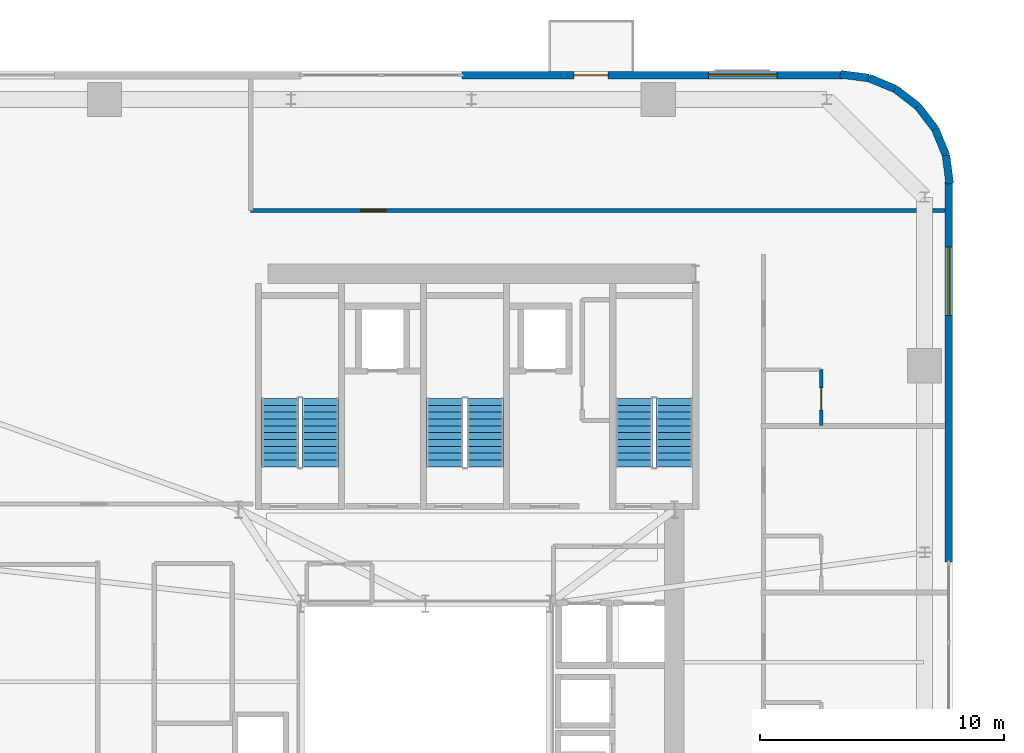
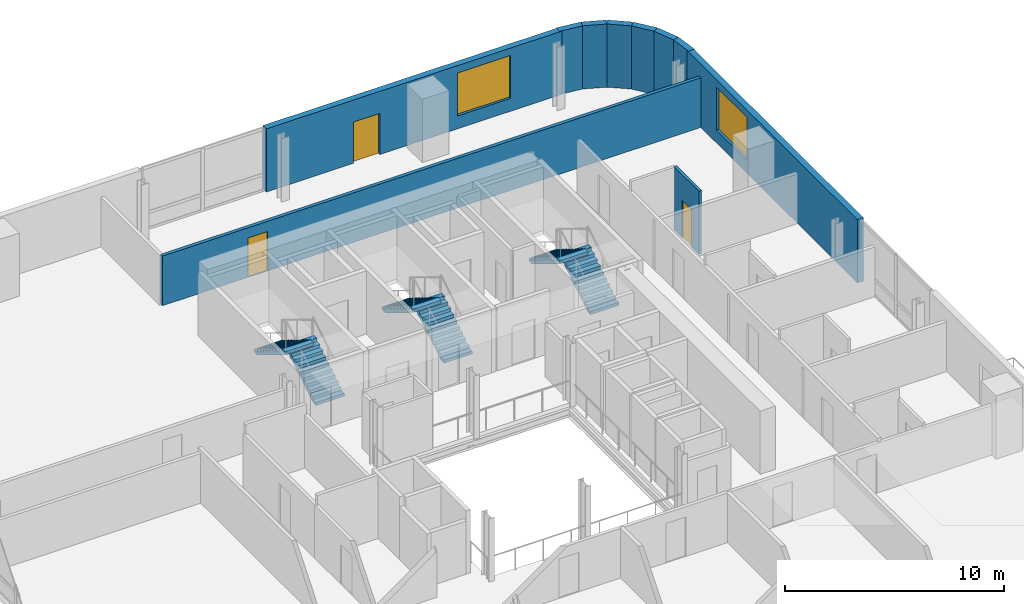
# One storey, part 11 of 16: 10 walls, 6 stair flights, 3 doors, 2 windows, 5 openings, 3 elements without a shape of their own.
"""IFC4 building model written with IfcOpenShell, lengths in metres."""

from ifc_helpers import new_model, si_unit, direction, frame, frame_2d, origin, place, context, subcontext, project, spatial, polyline, rectangle, outline, extrude, source, transform, mapped, material, layer, layer_set, type_object, element, fill, aggregate, save


model = new_model("IFC4")

# Units and contexts
model_context = context("Model", 3, precision=1e-05, world=origin(), true_north=direction((0.0, 1.0)))
body_context = subcontext(model_context, "Body", "Model", "MODEL_VIEW")
ifc_project = project(units=[si_unit("LENGTHUNIT", "METRE"), si_unit("AREAUNIT", "SQUARE_METRE"), si_unit("VOLUMEUNIT", "CUBIC_METRE"), si_unit("PLANEANGLEUNIT", "RADIAN"), si_unit("MASSUNIT", "GRAM", prefix="KILO")], contexts=[model_context])

# Site, building, storey
site_placement = place(None, origin())
site = spatial("IfcSite", under=ifc_project, at=site_placement, CompositionType="ELEMENT")
building_placement = place(site_placement, origin())
building = spatial("IfcBuilding", under=site, at=building_placement, Name="Vardaveli Station Tower", CompositionType="ELEMENT")
storey_placement = place(building_placement, frame((0.0, 0.0, 226.050048828125)))
storey = spatial("IfcBuildingStorey", under=building, at=storey_placement, Name="L58", CompositionType="ELEMENT", Elevation=226.050048828125)

# Wall, openings, door, window
ifc_material_1 = material(Name="Precast concrete C45/55", Category="concrete")
ifc_layer_1 = layer(ifc_material_1, 0.320068359375, Name="Precast concrete C45/55")
ifc_layer_set_1 = layer_set([ifc_layer_1], Name="Precast concrete C45/55")
wall_type_1 = type_object("IfcWallType", Name="WAL-EXT-STONE-320", PredefinedType="SOLIDWALL", material=ifc_layer_set_1)
shared_shape_1 = source(origin(), body_context, "Body", "SweptSolid", [
    extrude(rectangle(XDim=15.599853515625, YDim=0.320068359375, at=frame_2d((7.7998046875, 0.0))), origin(), (0.0, 0.0, 1.0), 3.530029296875),
])
wall_1_placement = place(storey_placement, frame((53.39990234375, 48.43994140625, 0.0), z_axis=(0.0, 0.0, 1.0), x_axis=(-1.0, 0.0, 0.0)))
wall_1 = element("IfcWall", 1, at=wall_1_placement, inside=storey, type_object=wall_type_1, Name="EW-L58-N1", PredefinedType="SOLIDWALL", context=body_context, shape_type="MappedRepresentation", body=[
    mapped(shared_shape_1, transform((0.0, 0.0, 0.0), scale=1.0)),
])
shared_shape_2 = source(origin(), body_context, "Body", "SweptSolid", [
    extrude(rectangle(XDim=1.39990234375, YDim=2.300048828125, at=frame_2d((0.699951171875, 1.14990234375))), frame((0.0, 0.169921875, 0.0), z_axis=(0.0, -1.0, 0.0), x_axis=(1.0, 0.0, 0.0)), (0.0, 0.0, 1.0), 0.340087890625),
])
opening_1_placement = place(wall_1_placement, frame((9.6103515625, 0.0, 0.0)))
opening_1 = element("IfcOpeningElement", 2, at=opening_1_placement, cuts=wall_1, Name="Opening D-09", PredefinedType="OPENING", context=body_context, shape_type="MappedRepresentation", body=[
    mapped(shared_shape_2, transform((0.0, 0.0, 0.0), scale=1.0)),
])
shared_shape_3 = source(origin(), body_context, "Body", "SweptSolid", [
    extrude(rectangle(XDim=2.800048828125, YDim=2.39990234375, at=frame_2d((1.39990234375, 1.199951171875))), frame((0.0, 0.169921875, 0.0), z_axis=(0.0, -1.0, 0.0), x_axis=(1.0, 0.0, 0.0)), (0.0, 0.0, 1.0), 0.340087890625),
])
opening_2_placement = place(wall_1_placement, frame((2.705078125, 0.0, 0.719970703125)))
opening_2 = element("IfcOpeningElement", 3, at=opening_2_placement, cuts=wall_1, Name="Opening W-04", PredefinedType="OPENING", context=body_context, shape_type="MappedRepresentation", body=[
    mapped(shared_shape_3, transform((0.0, 0.0, 0.0), scale=1.0)),
])
ifc_material_2 = material(Name="Thermally broken aluminium glass", Category="aluminium")
door_type_1 = type_object("IfcDoorType", Name="DR-LOG-1400x2300", OperationType="DOUBLE_DOOR_SLIDING", PredefinedType="DOOR", material=ifc_material_2)
shared_shape_4 = source(origin(), body_context, "Body", "SweptSolid", [
    extrude(rectangle(XDim=1.39990234375, YDim=2.300048828125, at=frame_2d((0.699951171875, 1.14990234375))), frame((0.0, 0.02490234375, 0.0), z_axis=(0.0, -1.0, 0.0), x_axis=(1.0, 0.0, 0.0)), (0.0, 0.0, 1.0), 0.050048828125),
])
door_1_placement = place(opening_1_placement, frame((1.39990234375, 0.0, 0.0), z_axis=(0.0, 0.0, 1.0), x_axis=(-1.0, 0.0, 0.0)))
door_1 = element("IfcDoor", 4, at=door_1_placement, inside=storey, type_object=door_type_1, Name="DLG-L58-N", OperationType="DOUBLE_DOOR_SLIDING", OverallHeight=2.300048828125, OverallWidth=1.39990234375, PredefinedType="DOOR", context=body_context, shape_type="MappedRepresentation", body=[
    mapped(shared_shape_4, transform((0.0, 0.0, 0.0), scale=1.0)),
])
fill(opening_1, door_1)
ifc_material_3 = material(Name="Low-E solar-control glass", Category="glass")
window_type = type_object("IfcWindowType", Name="WIN-SUITE-2800x2400", PartitioningType="SINGLE_PANEL", PredefinedType="WINDOW", material=ifc_material_3)
shared_shape_5 = source(origin(), body_context, "Body", "SweptSolid", [
    extrude(rectangle(XDim=2.800048828125, YDim=2.39990234375, at=frame_2d((1.39990234375, 1.199951171875))), frame((0.0, 0.030029296875, 0.0), z_axis=(0.0, -1.0, 0.0), x_axis=(1.0, 0.0, 0.0)), (0.0, 0.0, 1.0), 0.06005859375),
])
window_1_placement = place(opening_2_placement, origin())
window_1 = element("IfcWindow", 5, at=window_1_placement, inside=storey, type_object=window_type, Name="WN-L58-N1", OverallHeight=2.39990234375, OverallWidth=2.800048828125, PartitioningType="SINGLE_PANEL", PredefinedType="WINDOW", context=body_context, shape_type="MappedRepresentation", body=[
    mapped(shared_shape_5, transform((0.0, 0.0, 0.0), scale=1.0)),
])
fill(opening_2, window_1)

# Wall, opening, window
shared_shape_6 = source(origin(), body_context, "Body", "SweptSolid", [
    extrude(rectangle(XDim=15.60009765625, YDim=0.320068359375, at=frame_2d((7.800048828125, 0.0))), origin(), (0.0, 0.0, 1.0), 3.530029296875),
])
wall_2_placement = place(storey_placement, frame((57.739990234375, 28.5, 0.0), z_axis=(0.0, 0.0, 1.0), x_axis=(0.0, 1.0, 0.0)))
wall_2 = element("IfcWall", 6, at=wall_2_placement, inside=storey, type_object=wall_type_1, Name="EW-L58-E2", PredefinedType="SOLIDWALL", context=body_context, shape_type="MappedRepresentation", body=[
    mapped(shared_shape_6, transform((0.0, 0.0, 0.0), scale=1.0)),
])
opening_3_placement = place(wall_2_placement, frame((10.094970703125, 0.0, 0.719970703125)))
opening_3 = element("IfcOpeningElement", 7, at=opening_3_placement, cuts=wall_2, Name="Opening W-04", PredefinedType="OPENING", context=body_context, shape_type="MappedRepresentation", body=[
    mapped(shared_shape_3, transform((0.0, 0.0, 0.0), scale=1.0)),
])
window_2_placement = place(opening_3_placement, origin())
window_2 = element("IfcWindow", 8, at=window_2_placement, inside=storey, type_object=window_type, Name="WN-L58-E2", OverallHeight=2.39990234375, OverallWidth=2.800048828125, PartitioningType="SINGLE_PANEL", PredefinedType="WINDOW", context=body_context, shape_type="MappedRepresentation", body=[
    mapped(shared_shape_5, transform((0.0, 0.0, 0.0), scale=1.0)),
])
fill(opening_3, window_2)

# Walls
shared_shape_7 = source(origin(), body_context, "Body", "SweptSolid", [
    extrude(rectangle(XDim=1.1689453125, YDim=0.320068359375, at=frame_2d((0.58447265625, 0.0))), origin(), (0.0, 0.0, 1.0), 3.530029296875),
])
wall_3_placement = place(storey_placement, frame((57.179931640625, 46.2412109375, 0.0), z_axis=(0.0, 0.0, 1.0), x_axis=(-0.608387696831, 0.793639975269, 0.0)))
element("IfcWall", 9, at=wall_3_placement, inside=storey, type_object=wall_type_1, Name="EW-L58-CR3-3", PredefinedType="SOLIDWALL", context=body_context, shape_type="MappedRepresentation", body=[
    mapped(shared_shape_7, transform((0.0, 0.0, 0.0), scale=1.0)),
])
shared_shape_8 = source(origin(), body_context, "Body", "SweptSolid", [
    extrude(rectangle(XDim=1.168701171875, YDim=0.320068359375, at=frame_2d((0.58447265625, 0.0))), origin(), (0.0, 0.0, 1.0), 3.530029296875),
])
wall_4_placement = place(storey_placement, frame((56.46875, 47.1689453125, 0.0), z_axis=(0.0, 0.0, 1.0), x_axis=(-0.793663520347, 0.608356981114, 0.0)))
element("IfcWall", 10, at=wall_4_placement, inside=storey, type_object=wall_type_1, Name="EW-L58-CR3-4", PredefinedType="SOLIDWALL", context=body_context, shape_type="MappedRepresentation", body=[
    mapped(shared_shape_8, transform((0.0, 0.0, 0.0), scale=1.0)),
])
shared_shape_9 = source(origin(), body_context, "Body", "SweptSolid", [
    extrude(rectangle(XDim=1.17041015625, YDim=0.320068359375, at=frame_2d((0.585205078125, 0.0))), origin(), (0.0, 0.0, 1.0), 3.530029296875),
])
for number, where, z_axis, x_axis, name in (
    (11, (57.775634765625, 43.99951171875, 0.0), (0.0, 0.0, 1.0), (-0.128295670475, 0.991735963317, 0.0), "EW-L58-CR3-1"),
    (12, (54.460205078125, 48.325439453125, 0.0), (0.0, 0.0, 1.0), (-0.991735963317, 0.128295670475, 0.0), "EW-L58-CR3-6"),
):
    element("IfcWall", number, at=place(storey_placement, frame(where, z_axis=z_axis, x_axis=x_axis)), inside=storey, type_object=wall_type_1, Name=name, PredefinedType="SOLIDWALL", context=body_context, shape_type="MappedRepresentation", body=[
        mapped(shared_shape_9, transform((0.0, 0.0, 0.0), scale=1.0)),
    ])
shared_shape_10 = source(origin(), body_context, "Body", "SweptSolid", [
    extrude(rectangle(XDim=1.169189453125, YDim=0.320068359375, at=frame_2d((0.58447265625, 0.0))), origin(), (0.0, 0.0, 1.0), 3.530029296875),
])
for number, where, z_axis, x_axis, name in (
    (13, (57.62548828125, 45.16015625, 0.0), (0.0, 0.0, 1.0), (-0.381054331552, 0.924552646638, 0.0), "EW-L58-CR3-2"),
    (14, (55.541259765625, 47.8798828125, 0.0), (0.0, 0.0, 1.0), (-0.924552646638, 0.381054331552, 0.0), "EW-L58-CR3-5"),
):
    element("IfcWall", number, at=place(storey_placement, frame(where, z_axis=z_axis, x_axis=x_axis)), inside=storey, type_object=wall_type_1, Name=name, PredefinedType="SOLIDWALL", context=body_context, shape_type="MappedRepresentation", body=[
        mapped(shared_shape_10, transform((0.0, 0.0, 0.0), scale=1.0)),
    ])

# Wall, opening, door
ifc_material_4 = material(Name="Fire-rated gypsum stud partition")
ifc_layer_2 = layer(ifc_material_4, 0.179931640625, Name="Fire-rated gypsum stud partition")
ifc_layer_set_2 = layer_set([ifc_layer_2], Name="Fire-rated gypsum stud partition")
wall_type_2 = type_object("IfcWallType", Name="WAL-CORR-180", PredefinedType="PARTITIONING", material=ifc_layer_set_2)
shared_shape_11 = source(origin(), body_context, "Body", "SweptSolid", [
    extrude(rectangle(XDim=28.427978515625, YDim=0.179931640625, at=frame_2d((14.2138671875, 0.0))), origin(), (0.0, 0.0, 1.0), 2.77197265625),
])
wall_5_placement = place(storey_placement, frame((29.14990234375, 42.89990234375, 0.0), z_axis=(0.0, 0.0, 1.0), x_axis=(1.0, 0.0, 0.0)))
wall_5 = element("IfcWall", 15, at=wall_5_placement, inside=storey, type_object=wall_type_2, Name="W-L58-NPS", PredefinedType="PARTITIONING", context=body_context, shape_type="MappedRepresentation", body=[
    mapped(shared_shape_11, transform((0.0, 0.0, 0.0), scale=1.0)),
])
shared_shape_12 = source(origin(), body_context, "Body", "SweptSolid", [
    extrude(rectangle(XDim=1.050048828125, YDim=2.199951171875, at=frame_2d((0.52490234375, 1.10009765625))), frame((0.0, 0.10009765625, 0.0), z_axis=(0.0, -1.0, 0.0), x_axis=(1.0, 0.0, 0.0)), (0.0, 0.0, 1.0), 0.199951171875),
])
opening_4_placement = place(wall_5_placement, frame((4.5, 0.0, 0.0)))
opening_4 = element("IfcOpeningElement", 16, at=opening_4_placement, cuts=wall_5, Name="Opening D-05", PredefinedType="OPENING", context=body_context, shape_type="MappedRepresentation", body=[
    mapped(shared_shape_12, transform((0.0, 0.0, 0.0), scale=1.0)),
])
ifc_material_5 = material(Name="Walnut veneer acoustic fire door")
door_type_2 = type_object("IfcDoorType", Name="DR-SUITE-1050x2200", OperationType="NOTDEFINED", PredefinedType="DOOR", material=ifc_material_5)
shared_shape_13 = source(origin(), body_context, "Body", "SweptSolid", [
    extrude(rectangle(XDim=1.050048828125, YDim=2.199951171875, at=frame_2d((0.52490234375, 1.10009765625))), frame((0.0, 0.02490234375, 0.0), z_axis=(0.0, -1.0, 0.0), x_axis=(1.0, 0.0, 0.0)), (0.0, 0.0, 1.0), 0.050048828125),
])
door_2_placement = place(opening_4_placement, origin())
door_2 = element("IfcDoor", 17, at=door_2_placement, inside=storey, type_object=door_type_2, Name="D-L58-NP1", OperationType="SINGLE_SWING_LEFT", OverallHeight=2.199951171875, OverallWidth=1.050048828125, PredefinedType="DOOR", context=body_context, shape_type="MappedRepresentation", body=[
    mapped(shared_shape_13, transform((0.0, 0.0, 0.0), scale=1.0)),
])
fill(opening_4, door_2)

ifc_material_6 = material(Name="Moisture-resistant stud partition")
ifc_layer_3 = layer(ifc_material_6, 0.14990234375, Name="Moisture-resistant stud partition")
ifc_layer_set_3 = layer_set([ifc_layer_3], Name="Moisture-resistant stud partition")
wall_type_3 = type_object("IfcWallType", Name="WAL-WET-150", PredefinedType="PARTITIONING", material=ifc_layer_set_3)
shared_shape_14 = source(origin(), body_context, "Body", "SweptSolid", [
    extrude(rectangle(XDim=2.2900390625, YDim=0.14990234375, at=frame_2d((1.14501953125, 0.0))), origin(), (0.0, 0.0, 1.0), 3.530029296875),
])
wall_6_placement = place(storey_placement, frame((52.510009765625, 34.087890625, 0.0), z_axis=(0.0, 0.0, 1.0), x_axis=(0.0, 1.0, 0.0)))
wall_6 = element("IfcWall", 18, at=wall_6_placement, inside=storey, type_object=wall_type_3, Name="W-L58-BE4-E", PredefinedType="PARTITIONING", context=body_context, shape_type="MappedRepresentation", body=[
    mapped(shared_shape_14, transform((0.0, 0.0, 0.0), scale=1.0)),
])
shared_shape_15 = source(origin(), body_context, "Body", "SweptSolid", [
    extrude(rectangle(XDim=0.89990234375, YDim=2.10009765625, at=frame_2d((0.449951171875, 1.050048828125))), frame((0.0, 0.0849609375, 0.0), z_axis=(0.0, -1.0, 0.0), x_axis=(1.0, 0.0, 0.0)), (0.0, 0.0, 1.0), 0.169921875),
])
opening_5_placement = place(wall_6_placement, frame((0.64990234375, 0.0, 0.0)))
opening_5 = element("IfcOpeningElement", 19, at=opening_5_placement, cuts=wall_6, Name="Opening D-08", PredefinedType="OPENING", context=body_context, shape_type="MappedRepresentation", body=[
    mapped(shared_shape_15, transform((0.0, 0.0, 0.0), scale=1.0)),
])
ifc_material_7 = material(Name="Moisture-resistant oak door")
door_type_3 = type_object("IfcDoorType", Name="DR-BATH-900x2100", OperationType="NOTDEFINED", PredefinedType="DOOR", material=ifc_material_7)
shared_shape_16 = source(origin(), body_context, "Body", "SweptSolid", [
    extrude(rectangle(XDim=0.89990234375, YDim=2.10009765625, at=frame_2d((0.449951171875, 1.050048828125))), frame((0.0, 0.02490234375, 0.0), z_axis=(0.0, -1.0, 0.0), x_axis=(1.0, 0.0, 0.0)), (0.0, 0.0, 1.0), 0.050048828125),
])
door_3_placement = place(opening_5_placement, origin())
door_3 = element("IfcDoor", 20, at=door_3_placement, inside=storey, type_object=door_type_3, Name="D-L58-BE4", OperationType="SINGLE_SWING_LEFT", OverallHeight=2.10009765625, OverallWidth=0.89990234375, PredefinedType="DOOR", context=body_context, shape_type="MappedRepresentation", body=[
    mapped(shared_shape_16, transform((0.0, 0.0, 0.0), scale=1.0)),
])
fill(opening_5, door_3)

# Stair, stair flights
ifc_material_8 = material(Name="Concrete C40/50", Category="concrete")
stair_type = type_object("IfcStairType", Name="STR-CORE-1500", PredefinedType="HALF_TURN_STAIR", material=ifc_material_8)
stair_1_placement = place(storey_placement, origin())
stair_1 = element("IfcStair", 21, at=stair_1_placement, inside=storey, type_object=stair_type, Name="L58 ST-1", PredefinedType="HALF_TURN_STAIR")
stair_flight_type = type_object("IfcStairFlightType", Name="SFL-CORE-1500", PredefinedType="STRAIGHT", material=ifc_material_8)
shared_shape_17 = source(origin(), body_context, "Body", "SweptSolid", [
    extrude(outline(polyline([(0.0, 0.0), (0.0, 0.17041015625), (0.280029296875, 0.17041015625), (0.280029296875, 0.3408203125), (0.56005859375, 0.3408203125), (0.56005859375, 0.511474609375), (0.840087890625, 0.511474609375), (0.840087890625, 0.681884765625), (1.1201171875, 0.681884765625), (1.1201171875, 0.852294921875), (1.39990234375, 0.852294921875), (1.39990234375, 1.022705078125), (1.679931640625, 1.022705078125), (1.679931640625, 1.193115234375), (1.9599609375, 1.193115234375), (1.9599609375, 1.363525390625), (2.239990234375, 1.363525390625), (2.239990234375, 1.5341796875), (2.52001953125, 1.5341796875), (2.52001953125, 1.70458984375), (2.800048828125, 1.70458984375), (2.800048828125, 1.875), (2.800048828125, 1.529052734375), (0.288330078125, 0.0), (0.0, 0.0)])), frame((0.0, 0.75, 0.0), z_axis=(0.0, -1.0, 0.0), x_axis=(1.0, 0.0, 0.0)), (0.0, 0.0, 1.0), 1.5),
])
stair_flight_1_placement = place(storey_placement, frame((32.0, 32.39990234375, 0.0), z_axis=(0.0, 0.0, 1.0), x_axis=(0.0, 1.0, 0.0)))
stair_flight_1 = element("IfcStairFlight", 22, at=stair_flight_1_placement, type_object=stair_flight_type, Name="ST-1 flight 1", NumberOfRisers=11, NumberOfTreads=10, PredefinedType="STRAIGHT", RiserHeight=0.170454545, TreadLength=0.28, context=body_context, shape_type="MappedRepresentation", body=[
    mapped(shared_shape_17, transform((0.0, 0.0, 0.0), scale=1.0)),
])
stair_flight_2_placement = place(storey_placement, frame((30.35009765625, 35.199951171875, 1.875), z_axis=(0.0, 0.0, 1.0), x_axis=(0.0, -1.0, 0.0)))
stair_flight_2 = element("IfcStairFlight", 23, at=stair_flight_2_placement, type_object=stair_flight_type, Name="ST-1 flight 2", NumberOfRisers=11, NumberOfTreads=10, PredefinedType="STRAIGHT", RiserHeight=0.170454545, TreadLength=0.28, context=body_context, shape_type="MappedRepresentation", body=[
    mapped(shared_shape_17, transform((0.0, 0.0, 0.0), scale=1.0)),
])
aggregate(stair_1, [stair_flight_1, stair_flight_2])

stair_2_placement = place(storey_placement, origin())
stair_2 = element("IfcStair", 24, at=stair_2_placement, inside=storey, type_object=stair_type, Name="L58 ST-2", PredefinedType="HALF_TURN_STAIR")
stair_flight_3_placement = place(storey_placement, frame((38.75, 32.39990234375, 0.0), z_axis=(0.0, 0.0, 1.0), x_axis=(0.0, 1.0, 0.0)))
stair_flight_3 = element("IfcStairFlight", 25, at=stair_flight_3_placement, type_object=stair_flight_type, Name="ST-2 flight 1", NumberOfRisers=11, NumberOfTreads=10, PredefinedType="STRAIGHT", RiserHeight=0.170454545, TreadLength=0.28, context=body_context, shape_type="MappedRepresentation", body=[
    mapped(shared_shape_17, transform((0.0, 0.0, 0.0), scale=1.0)),
])
stair_flight_4_placement = place(storey_placement, frame((37.10009765625, 35.199951171875, 1.875), z_axis=(0.0, 0.0, 1.0), x_axis=(0.0, -1.0, 0.0)))
stair_flight_4 = element("IfcStairFlight", 26, at=stair_flight_4_placement, type_object=stair_flight_type, Name="ST-2 flight 2", NumberOfRisers=11, NumberOfTreads=10, PredefinedType="STRAIGHT", RiserHeight=0.170454545, TreadLength=0.28, context=body_context, shape_type="MappedRepresentation", body=[
    mapped(shared_shape_17, transform((0.0, 0.0, 0.0), scale=1.0)),
])
aggregate(stair_2, [stair_flight_3, stair_flight_4])

stair_3_placement = place(storey_placement, origin())
stair_3 = element("IfcStair", 27, at=stair_3_placement, inside=storey, type_object=stair_type, Name="L58 ST-3", PredefinedType="HALF_TURN_STAIR")
stair_flight_5_placement = place(storey_placement, frame((46.5, 32.39990234375, 0.0), z_axis=(0.0, 0.0, 1.0), x_axis=(0.0, 1.0, 0.0)))
stair_flight_5 = element("IfcStairFlight", 28, at=stair_flight_5_placement, type_object=stair_flight_type, Name="ST-3 flight 1", NumberOfRisers=11, NumberOfTreads=10, PredefinedType="STRAIGHT", RiserHeight=0.170454545, TreadLength=0.28, context=body_context, shape_type="MappedRepresentation", body=[
    mapped(shared_shape_17, transform((0.0, 0.0, 0.0), scale=1.0)),
])
stair_flight_6_placement = place(storey_placement, frame((44.85009765625, 35.199951171875, 1.875), z_axis=(0.0, 0.0, 1.0), x_axis=(0.0, -1.0, 0.0)))
stair_flight_6 = element("IfcStairFlight", 29, at=stair_flight_6_placement, type_object=stair_flight_type, Name="ST-3 flight 2", NumberOfRisers=11, NumberOfTreads=10, PredefinedType="STRAIGHT", RiserHeight=0.170454545, TreadLength=0.28, context=body_context, shape_type="MappedRepresentation", body=[
    mapped(shared_shape_17, transform((0.0, 0.0, 0.0), scale=1.0)),
])
aggregate(stair_3, [stair_flight_5, stair_flight_6])

save(model, "model.ifc")
